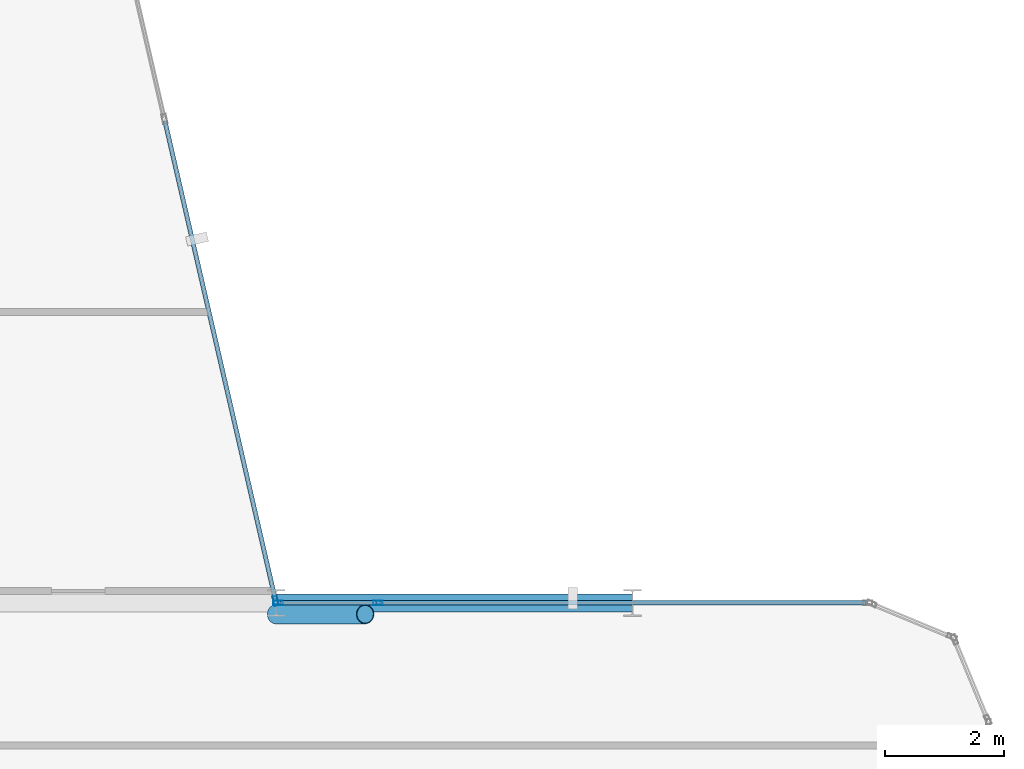
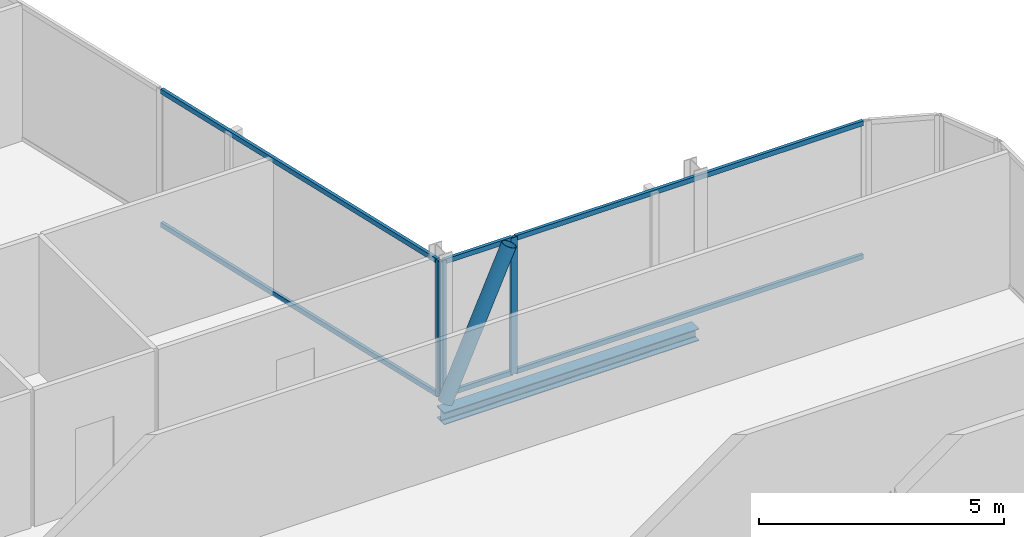
# One storey, part 14 of 29: 10 members, 1 beam, 3 elements without a shape of their own.
"""IFC4 building model written with IfcOpenShell, lengths in metres."""

from ifc_helpers import new_model, si_unit, direction, frame, origin, origin_2d, place, context, subcontext, project, spatial, hollow_rectangle, hollow_circle, i_section, extrude, material, layer, layer_set, material_profile, profile_set, type_object, element, aggregate, save


model = new_model("IFC4")

# Units and contexts
model_context = context("Model", 3, precision=1e-05, world=origin(), true_north=direction((0.0, 1.0)))
body_context = subcontext(model_context, "Body", "Model", "MODEL_VIEW")
ifc_project = project(units=[si_unit("LENGTHUNIT", "METRE"), si_unit("AREAUNIT", "SQUARE_METRE"), si_unit("VOLUMEUNIT", "CUBIC_METRE"), si_unit("PLANEANGLEUNIT", "RADIAN"), si_unit("MASSUNIT", "GRAM", prefix="KILO")], contexts=[model_context])

# Site, building, storey
site_placement = place(None, origin())
site = spatial("IfcSite", under=ifc_project, at=site_placement, CompositionType="ELEMENT")
building_placement = place(site_placement, origin())
building = spatial("IfcBuilding", under=site, at=building_placement, Name="Keshet Zoharim Tower", CompositionType="ELEMENT")
storey_placement = place(building_placement, frame((0.0, 0.0, 172.800048828125)))
storey = spatial("IfcBuildingStorey", under=building, at=storey_placement, Name="L42", CompositionType="ELEMENT", Elevation=172.800048828125)

# Beam
ifc_material_1 = material(Name="Steel S355", Category="steel")
ifc_material_profile_1 = material_profile(ifc_material_1, i_section(OverallWidth=0.300048828125, OverallDepth=0.300048828125, WebThickness=0.010986328125, FlangeThickness=0.01904296875, FilletRadius=0.027099609375, at=origin_2d()), Name="HEB300")
ifc_profile_set_1 = profile_set([ifc_material_profile_1], Name="Steel S355")
beam_type = type_object("IfcBeamType", Name="BM-PRI-HB300", PredefinedType="BEAM", material=ifc_profile_set_1)
beam_placement = place(storey_placement, frame((45.0, 27.89990234375, -0.4599609375), z_axis=(1.0, 0.0, 0.0), x_axis=(0.0, 1.0, 0.0)))
element("IfcBeam", 1, at=beam_placement, inside=storey, type_object=beam_type, Name="L42 Primary Girder X-016", PredefinedType="BEAM", context=body_context, shape_type="SweptSolid", body=[
    extrude(i_section(OverallWidth=0.300048828125, OverallDepth=0.300048828125, WebThickness=0.010986328125, FlangeThickness=0.01904296875, FilletRadius=0.027099609375, at=origin_2d()), origin(), (0.0, 0.0, 1.0), 6.0),
])

# Curtain wall, member
ifc_material_2 = material(Name="Aluminium 6063-T6", Category="aluminium")
ifc_layer = layer(ifc_material_2, 0.139892578125)
ifc_layer_set = layer_set([ifc_layer], Name="Aluminium 6063-T6")
curtain_wall_type = type_object("IfcCurtainWallType", Name="CW-SYS-05", PredefinedType="NOTDEFINED", material=ifc_layer_set)
curtain_wall_1_placement = place(storey_placement, origin())
curtain_wall_1 = element("IfcCurtainWall", 2, at=curtain_wall_1_placement, inside=storey, type_object=curtain_wall_type, Name="L42 Unitised Curtain Wall 19", PredefinedType="NOTDEFINED")
ifc_material_profile_2 = material_profile(ifc_material_2, hollow_rectangle(XDim=0.074951171875, YDim=0.159912109375, WallThickness=0.00390625, at=origin_2d()), Name="MUL-75x160")
ifc_profile_set_2 = profile_set([ifc_material_profile_2], Name="Aluminium 6063-T6")
member_type_1 = type_object("IfcMemberType", Name="CWM-M15", PredefinedType="MULLION", material=ifc_profile_set_2)
member_1_placement = place(storey_placement, frame((44.9921875, 27.93408203125, 0.0), z_axis=(0.0, 0.0, 1.0), x_axis=(0.974393882313, 0.224847864369, 0.0)))
member_1 = element("IfcMember", 3, at=member_1_placement, type_object=member_type_1, Name="CW-05 mullion 4", PredefinedType="MULLION", context=body_context, shape_type="SweptSolid", body=[
    extrude(hollow_rectangle(XDim=0.074951171875, YDim=0.159912109375, WallThickness=0.00390625, at=origin_2d()), origin(), (0.0, 0.0, 1.0), 3.389892578125),
])

# Curtain wall, members
curtain_wall_2_placement = place(storey_placement, origin())
curtain_wall_2 = element("IfcCurtainWall", 4, at=curtain_wall_2_placement, inside=storey, type_object=curtain_wall_type, Name="L42 Unitised Curtain Wall 20", PredefinedType="NOTDEFINED")
member_2_placement = place(storey_placement, frame((45.034912109375, 27.89990234375, 0.0), z_axis=(0.0, 0.0, 1.0), x_axis=(0.0, 1.0, 0.0)))
member_2 = element("IfcMember", 5, at=member_2_placement, type_object=member_type_1, Name="CW-05 mullion 1", PredefinedType="MULLION", context=body_context, shape_type="SweptSolid", body=[
    extrude(hollow_rectangle(XDim=0.074951171875, YDim=0.159912109375, WallThickness=0.00390625, at=origin_2d()), origin(), (0.0, 0.0, 1.0), 3.389892578125),
])
member_3_placement = place(storey_placement, frame((46.713134765625, 27.89990234375, 0.0), z_axis=(0.0, 0.0, 1.0), x_axis=(0.0, 1.0, 0.0)))
member_3 = element("IfcMember", 6, at=member_3_placement, type_object=member_type_1, Name="CW-05 mullion 2", PredefinedType="MULLION", context=body_context, shape_type="SweptSolid", body=[
    extrude(hollow_rectangle(XDim=0.074951171875, YDim=0.159912109375, WallThickness=0.00390625, at=origin_2d()), origin(), (0.0, 0.0, 1.0), 3.389892578125),
])

# Member
ifc_material_profile_3 = material_profile(ifc_material_2, hollow_rectangle(XDim=0.074951171875, YDim=0.1201171875, WallThickness=0.00390625, at=origin_2d()), Name="TRN-75x120")
ifc_profile_set_3 = profile_set([ifc_material_profile_3], Name="Aluminium 6063-T6")
member_type_2 = type_object("IfcMemberType", Name="CWT-T12", PredefinedType="USERDEFINED", material=ifc_profile_set_3)
member_4_placement = place(storey_placement, frame((43.127197265625, 36.015869140625, 0.034912109375), z_axis=(0.224863824467, -0.974390199277, 0.0), x_axis=(0.974390199277, 0.224863824467, 0.0)))
member_4 = element("IfcMember", 7, at=member_4_placement, type_object=member_type_2, Name="CW-05 transom 3.1", ObjectType="TRANSOM", PredefinedType="USERDEFINED", context=body_context, shape_type="SweptSolid", body=[
    extrude(hollow_rectangle(XDim=0.074951171875, YDim=0.1201171875, WallThickness=0.00390625, at=origin_2d()), origin(), (0.0, 0.0, 1.0), 8.259033203125),
])

member_5_placement = place(storey_placement, frame((43.127197265625, 36.015869140625, 3.35498046875), z_axis=(0.224863824467, -0.974390199277, 0.0), x_axis=(0.974390199277, 0.224863824467, 0.0)))
member_5 = element("IfcMember", 8, at=member_5_placement, type_object=member_type_2, Name="CW-05 transom 3.2", ObjectType="TRANSOM", PredefinedType="USERDEFINED", context=body_context, shape_type="SweptSolid", body=[
    extrude(hollow_rectangle(XDim=0.074951171875, YDim=0.1201171875, WallThickness=0.00390625, at=origin_2d()), origin(), (0.0, 0.0, 1.0), 8.259033203125),
])

aggregate(curtain_wall_1, [member_1, member_4, member_5])

member_6_placement = place(storey_placement, frame((45.070068359375, 27.89990234375, 0.034912109375), z_axis=(1.0, 0.0, 0.0), x_axis=(0.0, 1.0, 0.0)))
member_6 = element("IfcMember", 9, at=member_6_placement, type_object=member_type_2, Name="CW-05 transom 1.1", ObjectType="TRANSOM", PredefinedType="USERDEFINED", context=body_context, shape_type="SweptSolid", body=[
    extrude(hollow_rectangle(XDim=0.074951171875, YDim=0.1201171875, WallThickness=0.00390625, at=origin_2d()), origin(), (0.0, 0.0, 1.0), 1.60791015625),
])

member_7_placement = place(storey_placement, frame((45.070068359375, 27.89990234375, 3.35498046875), z_axis=(1.0, 0.0, 0.0), x_axis=(0.0, 1.0, 0.0)))
member_7 = element("IfcMember", 10, at=member_7_placement, type_object=member_type_2, Name="CW-05 transom 1.2", ObjectType="TRANSOM", PredefinedType="USERDEFINED", context=body_context, shape_type="SweptSolid", body=[
    extrude(hollow_rectangle(XDim=0.074951171875, YDim=0.1201171875, WallThickness=0.00390625, at=origin_2d()), origin(), (0.0, 0.0, 1.0), 1.60791015625),
])

aggregate(curtain_wall_2, [member_2, member_3, member_6, member_7])

# Curtain wall, members
curtain_wall_3_placement = place(storey_placement, origin())
curtain_wall_3 = element("IfcCurtainWall", 11, at=curtain_wall_3_placement, inside=storey, type_object=curtain_wall_type, Name="L42 Unitised Curtain Wall 20 Part 2", PredefinedType="NOTDEFINED")
member_8_placement = place(storey_placement, frame((46.748046875, 27.89990234375, 0.034912109375), z_axis=(1.0, 0.0, 0.0), x_axis=(0.0, 1.0, 0.0)))
member_8 = element("IfcMember", 12, at=member_8_placement, type_object=member_type_2, Name="CW-05 transom 1.1", ObjectType="TRANSOM", PredefinedType="USERDEFINED", context=body_context, shape_type="SweptSolid", body=[
    extrude(hollow_rectangle(XDim=0.074951171875, YDim=0.1201171875, WallThickness=0.00390625, at=origin_2d()), origin(), (0.0, 0.0, 1.0), 8.181884765625),
])
member_9_placement = place(storey_placement, frame((46.748046875, 27.89990234375, 3.35498046875), z_axis=(1.0, 0.0, 0.0), x_axis=(0.0, 1.0, 0.0)))
member_9 = element("IfcMember", 13, at=member_9_placement, type_object=member_type_2, Name="CW-05 transom 1.2", ObjectType="TRANSOM", PredefinedType="USERDEFINED", context=body_context, shape_type="SweptSolid", body=[
    extrude(hollow_rectangle(XDim=0.074951171875, YDim=0.1201171875, WallThickness=0.00390625, at=origin_2d()), origin(), (0.0, 0.0, 1.0), 8.181884765625),
])
aggregate(curtain_wall_3, [member_8, member_9])

# Member
ifc_material_profile_4 = material_profile(ifc_material_1, hollow_circle(Radius=0.161865234375, WallThickness=0.012451171875, at=origin_2d()), Name="CHS323x12.5")
ifc_profile_set_4 = profile_set([ifc_material_profile_4], Name="Steel S355")
member_type_3 = type_object("IfcMemberType", Name="MB-BR-C323", PredefinedType="BRACE", material=ifc_profile_set_4)
member_10_placement = place(storey_placement, frame((45.0, 27.7099609375, 0.0), z_axis=(0.40464689807, 0.0, 0.914473011019), x_axis=(0.0, 1.0, 0.0)))
element("IfcMember", 14, at=member_10_placement, inside=storey, type_object=member_type_3, Name="L42 Perimeter Tube Brace 04", PredefinedType="BRACE", context=body_context, shape_type="SweptSolid", body=[
    extrude(hollow_circle(Radius=0.161865234375, WallThickness=0.012451171875, at=origin_2d()), origin(), (0.0, 0.0, 1.0), 3.70703125),
])

save(model, "model.ifc")
